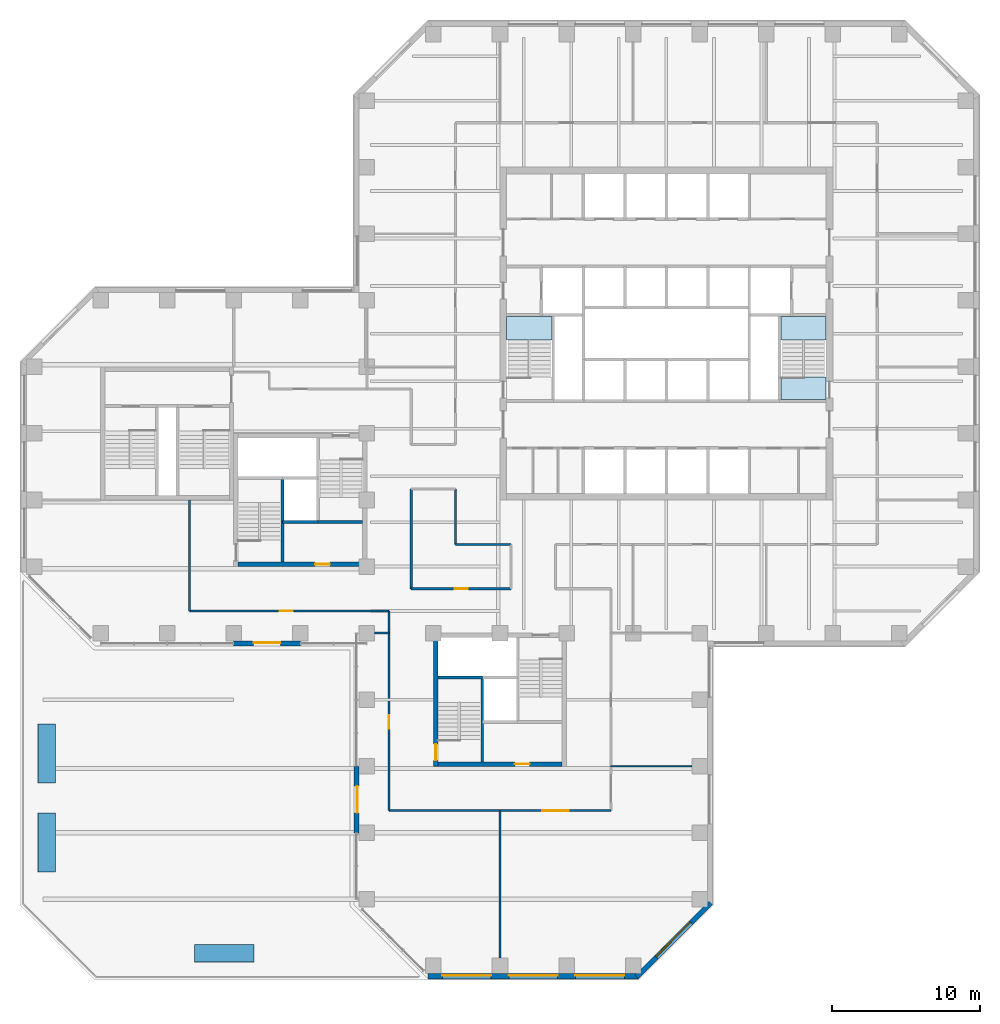
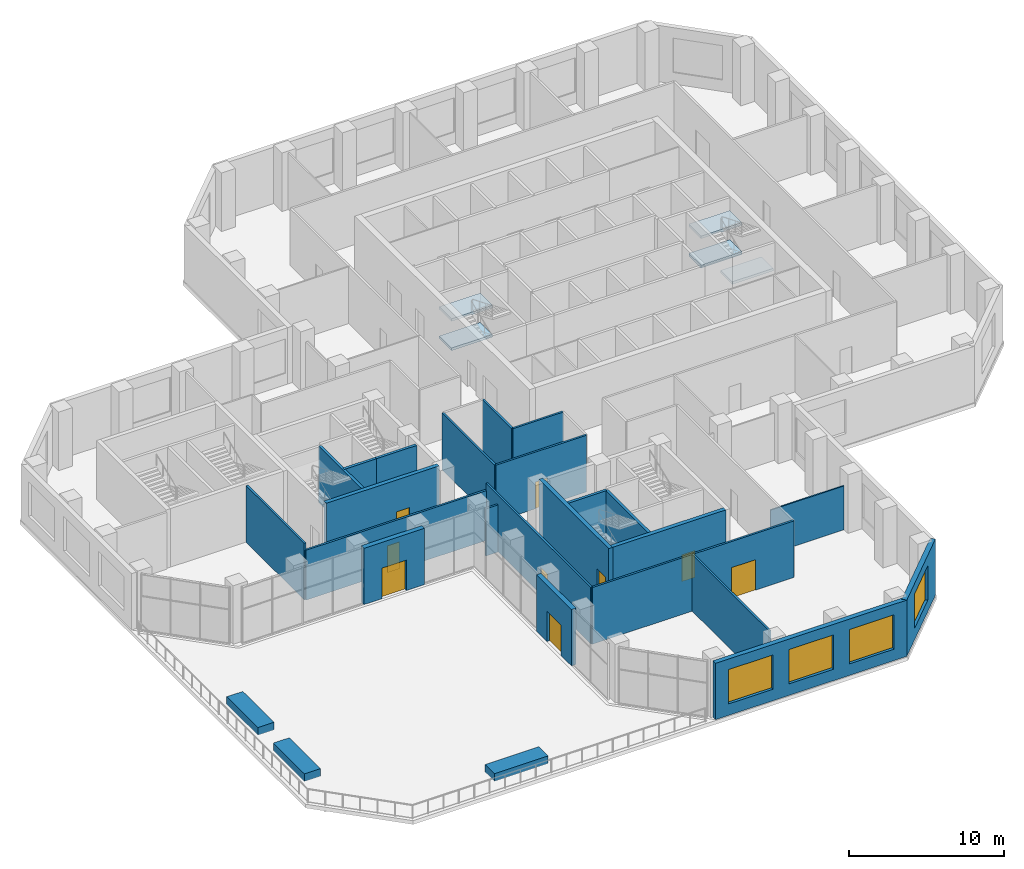
# One storey, part 6 of 14: 26 walls, 9 doors, 5 slabs, 4 windows, 13 openings, 2 elements without a shape of their own.
"""IFC4 building model written with IfcOpenShell, lengths in metres."""

from ifc_helpers import new_model, si_unit, direction, frame, frame_2d, origin, place, context, subcontext, project, spatial, polyline, rectangle, outline, extrude, material, layer, layer_set, constituent, constituent_set, type_object, element, fill, aggregate, save


model = new_model("IFC4")

# Units and contexts
model_context = context("Model", 3, precision=1e-05, world=origin(), true_north=direction((0.0, 1.0)))
body_context = subcontext(model_context, "Body", "Model", "MODEL_VIEW")
ifc_project = project(units=[si_unit("LENGTHUNIT", "METRE"), si_unit("AREAUNIT", "SQUARE_METRE"), si_unit("VOLUMEUNIT", "CUBIC_METRE"), si_unit("PLANEANGLEUNIT", "RADIAN"), si_unit("MASSUNIT", "GRAM", prefix="KILO")], contexts=[model_context])

# Site, building, storey
site_placement = place(None, origin())
site = spatial("IfcSite", under=ifc_project, at=site_placement, CompositionType="ELEMENT")
building_placement = place(site_placement, origin())
building = spatial("IfcBuilding", under=site, at=building_placement, Name="Quoin Convention Tower", CompositionType="ELEMENT")
storey_placement = place(building_placement, frame((0.0, 0.0, 74.300048828125)))
storey = spatial("IfcBuildingStorey", under=building, at=storey_placement, Name="L19", CompositionType="ELEMENT", Elevation=74.300048828125)

# Stair, slabs
ifc_material_1 = material(Name="Concrete C40", Category="concrete")
stair_type = type_object("IfcStairType", Name="Exit stair four-flight 1350", PredefinedType="DOUBLE_RETURN_STAIR", material=ifc_material_1)
stair_1_placement = place(storey_placement, origin())
stair_1 = element("IfcStair", 1, at=stair_1_placement, inside=storey, type_object=stair_type, Name="SD1 L19", PredefinedType="DOUBLE_RETURN_STAIR")
ifc_layer_1 = layer(ifc_material_1, 0.199951171875)
ifc_layer_set_1 = layer_set([ifc_layer_1], Name="Concrete C40")
slab_type = type_object("IfcSlabType", Name="Stair landing 200", PredefinedType="LANDING", material=ifc_layer_set_1)
slab_1_placement = place(storey_placement, frame((0.0, 0.0, 0.949951171875)))
slab_1 = element("IfcSlab", 2, at=slab_1_placement, type_object=slab_type, Name="ST1 landing 1", PredefinedType="LANDING", context=body_context, shape_type="SweptSolid", body=[
    extrude(outline(polyline([(45.449951171875, 60.320068359375), (48.5, 60.320068359375), (48.5, 61.89990234375), (45.449951171875, 61.89990234375), (45.449951171875, 60.320068359375)])), origin(), (0.0, 0.0, 1.0), 0.199951171875),
])
slab_2_placement = place(storey_placement, frame((0.0, 0.0, 3.25)))
slab_2 = element("IfcSlab", 3, at=slab_2_placement, type_object=slab_type, Name="ST1 landing 3", PredefinedType="LANDING", context=body_context, shape_type="SweptSolid", body=[
    extrude(outline(polyline([(45.449951171875, 60.320068359375), (48.5, 60.320068359375), (48.5, 61.89990234375), (45.449951171875, 61.89990234375), (45.449951171875, 60.320068359375)])), origin(), (0.0, 0.0, 1.0), 0.199951171875),
])
aggregate(stair_1, [slab_1, slab_2])

stair_2_placement = place(storey_placement, origin())
stair_2 = element("IfcStair", 4, at=stair_2_placement, inside=storey, type_object=stair_type, Name="SD2 L19", PredefinedType="DOUBLE_RETURN_STAIR")
slab_3_placement = place(storey_placement, frame((0.0, 0.0, 0.949951171875)))
slab_3 = element("IfcSlab", 5, at=slab_3_placement, type_object=slab_type, Name="ST2 landing 1", PredefinedType="LANDING", context=body_context, shape_type="SweptSolid", body=[
    extrude(outline(polyline([(64.0, 60.320068359375), (67.050048828125, 60.320068359375), (67.050048828125, 61.89990234375), (64.0, 61.89990234375), (64.0, 60.320068359375)])), origin(), (0.0, 0.0, 1.0), 0.199951171875),
])
slab_4_placement = place(storey_placement, frame((0.0, 0.0, 2.099853515625)))
slab_4 = element("IfcSlab", 6, at=slab_4_placement, type_object=slab_type, Name="ST2 landing 2", PredefinedType="LANDING", context=body_context, shape_type="SweptSolid", body=[
    extrude(outline(polyline([(64.0, 56.300048828125), (67.050048828125, 56.300048828125), (67.050048828125, 57.800048828125), (64.0, 57.800048828125), (64.0, 56.300048828125)])), origin(), (0.0, 0.0, 1.0), 0.2001953125),
])
slab_5_placement = place(storey_placement, frame((0.0, 0.0, 3.25)))
slab_5 = element("IfcSlab", 7, at=slab_5_placement, type_object=slab_type, Name="ST2 landing 3", PredefinedType="LANDING", context=body_context, shape_type="SweptSolid", body=[
    extrude(outline(polyline([(64.0, 60.320068359375), (67.050048828125, 60.320068359375), (67.050048828125, 61.89990234375), (64.0, 61.89990234375), (64.0, 60.320068359375)])), origin(), (0.0, 0.0, 1.0), 0.199951171875),
])
aggregate(stair_2, [slab_3, slab_4, slab_5])

# Wall, opening, door
ifc_material_2 = material(Name="Brick masonry", Category="masonry")
ifc_layer_2 = layer(ifc_material_2, 0.35009765625)
ifc_layer_set_2 = layer_set([ifc_layer_2], Name="Brick masonry")
wall_type_1 = type_object("IfcWallType", Name="Brick facade wall", PredefinedType="STANDARD", material=ifc_layer_set_2)
wall_1_placement = place(storey_placement, frame((27.0, 39.800048828125, 0.0), z_axis=(0.0, 0.0, 1.0), x_axis=(1.0, 0.0, 0.0)))
wall_1 = element("IfcWall", 8, at=wall_1_placement, inside=storey, type_object=wall_type_1, Name="fw-L19-27000_39800", PredefinedType="STANDARD", context=body_context, shape_type="SweptSolid", body=[
    extrude(rectangle(XDim=4.5, YDim=0.35009765625, at=frame_2d((2.25, 0.0))), origin(), (0.0, 0.0, 1.0), 4.425048828125),
])
opening_1_placement = place(wall_1_placement, frame((1.35009765625, 0.0, 0.0)))
opening_1 = element("IfcOpeningElement", 9, at=opening_1_placement, cuts=wall_1, Name="Opening D-T1", PredefinedType="OPENING", context=body_context, shape_type="SweptSolid", body=[
    extrude(rectangle(XDim=1.800048828125, YDim=2.39990234375, at=frame_2d((0.89990234375, 1.199951171875))), frame((0.0, 0.18505859375, 0.0), z_axis=(0.0, -1.0, 0.0), x_axis=(1.0, 0.0, 0.0)), (0.0, 0.0, 1.0), 0.3701171875),
])
ifc_material_3 = material(Name="Aluminium", Category="aluminium")
ifc_constituent_1 = constituent(ifc_material_3, Name="Frame")
ifc_material_4 = material(Name="Insulated glass", Category="glass")
ifc_constituent_2 = constituent(ifc_material_4, Name="Glazing")
ifc_constituent_set_1 = constituent_set(constituents=[ifc_constituent_1, ifc_constituent_2], Name="Aluminium")
door_type_1 = type_object("IfcDoorType", Name="Glazed terrace door", OperationType="DOUBLE_DOOR_SINGLE_SWING", PredefinedType="DOOR", material=ifc_constituent_set_1)
door_1_placement = place(opening_1_placement, origin())
door_1 = element("IfcDoor", 10, at=door_1_placement, inside=storey, type_object=door_type_1, Name="dr-L19-27000_39800", OperationType="DOUBLE_DOOR_SINGLE_SWING", OverallHeight=2.39990234375, OverallWidth=1.800048828125, PredefinedType="DOOR", context=body_context, shape_type="SweptSolid", body=[
    extrude(rectangle(XDim=1.800048828125, YDim=2.39990234375, at=frame_2d((0.89990234375, 1.199951171875))), frame((0.0, 0.080078125, 0.0), z_axis=(0.0, -1.0, 0.0), x_axis=(1.0, 0.0, 0.0)), (0.0, 0.0, 1.0), 0.050048828125),
])
fill(opening_1, door_1)

wall_2_placement = place(storey_placement, frame((35.300048828125, 31.5, 0.0), z_axis=(0.0, 0.0, 1.0), x_axis=(0.0, -1.0, 0.0)))
wall_2 = element("IfcWall", 11, at=wall_2_placement, inside=storey, type_object=wall_type_1, Name="fw-L19-35300_31500", PredefinedType="STANDARD", context=body_context, shape_type="SweptSolid", body=[
    extrude(rectangle(XDim=4.5, YDim=0.35009765625, at=frame_2d((2.25, 0.0))), origin(), (0.0, 0.0, 1.0), 4.425048828125),
])
opening_2_placement = place(wall_2_placement, frame((1.35009765625, 0.0, 0.0)))
opening_2 = element("IfcOpeningElement", 12, at=opening_2_placement, cuts=wall_2, Name="Opening D-T1", PredefinedType="OPENING", context=body_context, shape_type="SweptSolid", body=[
    extrude(rectangle(XDim=1.800048828125, YDim=2.39990234375, at=frame_2d((0.89990234375, 1.199951171875))), frame((0.0, 0.18505859375, 0.0), z_axis=(0.0, -1.0, 0.0), x_axis=(1.0, 0.0, 0.0)), (0.0, 0.0, 1.0), 0.3701171875),
])
door_2_placement = place(opening_2_placement, origin())
door_2 = element("IfcDoor", 13, at=door_2_placement, inside=storey, type_object=door_type_1, Name="dr-L19-35300_31500", OperationType="DOUBLE_DOOR_SINGLE_SWING", OverallHeight=2.39990234375, OverallWidth=1.800048828125, PredefinedType="DOOR", context=body_context, shape_type="SweptSolid", body=[
    extrude(rectangle(XDim=1.800048828125, YDim=2.39990234375, at=frame_2d((0.89990234375, 1.199951171875))), frame((0.0, 0.080078125, 0.0), z_axis=(0.0, -1.0, 0.0), x_axis=(1.0, 0.0, 0.0)), (0.0, 0.0, 1.0), 0.050048828125),
])
fill(opening_2, door_2)

# Wall, openings, windows
wall_3_placement = place(storey_placement, frame((40.1376953125, 17.300048828125, 0.0), z_axis=(0.0, 0.0, 1.0), x_axis=(1.0, 0.0, 0.0)))
wall_3 = element("IfcWall", 14, at=wall_3_placement, inside=storey, type_object=wall_type_1, Name="fw-L19-40500_18000", PredefinedType="STANDARD", context=body_context, shape_type="SweptSolid", body=[
    extrude(rectangle(XDim=14.224609375, YDim=0.35009765625, at=frame_2d((7.1123046875, 0.0))), origin(), (0.0, 0.0, 1.0), 4.425048828125),
])
opening_3_placement = place(wall_3_placement, frame((0.96240234375, 0.0, 0.89990234375)))
opening_3 = element("IfcOpeningElement", 15, at=opening_3_placement, cuts=wall_3, Name="Opening W-03", PredefinedType="OPENING", context=body_context, shape_type="SweptSolid", body=[
    extrude(rectangle(XDim=3.300048828125, YDim=2.699951171875, at=frame_2d((1.64990234375, 1.35009765625))), frame((0.0, 0.18505859375, 0.0), z_axis=(0.0, -1.0, 0.0), x_axis=(1.0, 0.0, 0.0)), (0.0, 0.0, 1.0), 0.3701171875),
])
opening_4_placement = place(wall_3_placement, frame((5.46240234375, 0.0, 0.89990234375)))
opening_4 = element("IfcOpeningElement", 16, at=opening_4_placement, cuts=wall_3, Name="Opening W-03", PredefinedType="OPENING", context=body_context, shape_type="SweptSolid", body=[
    extrude(rectangle(XDim=3.300048828125, YDim=2.699951171875, at=frame_2d((1.64990234375, 1.35009765625))), frame((0.0, 0.18505859375, 0.0), z_axis=(0.0, -1.0, 0.0), x_axis=(1.0, 0.0, 0.0)), (0.0, 0.0, 1.0), 0.3701171875),
])
opening_5_placement = place(wall_3_placement, frame((9.96240234375, 0.0, 0.89990234375)))
opening_5 = element("IfcOpeningElement", 17, at=opening_5_placement, cuts=wall_3, Name="Opening W-03", PredefinedType="OPENING", context=body_context, shape_type="SweptSolid", body=[
    extrude(rectangle(XDim=3.300048828125, YDim=2.699951171875, at=frame_2d((1.64990234375, 1.35009765625))), frame((0.0, 0.18505859375, 0.0), z_axis=(0.0, -1.0, 0.0), x_axis=(1.0, 0.0, 0.0)), (0.0, 0.0, 1.0), 0.3701171875),
])
ifc_constituent_3 = constituent(ifc_material_3, Name="Frame")
ifc_constituent_4 = constituent(ifc_material_4, Name="Glazing")
ifc_constituent_set_2 = constituent_set(constituents=[ifc_constituent_3, ifc_constituent_4], Name="Aluminium")
window_type = type_object("IfcWindowType", Name="Sky lobby window", PartitioningType="DOUBLE_PANEL_VERTICAL", PredefinedType="WINDOW", material=ifc_constituent_set_2)
window_1_placement = place(opening_3_placement, origin())
window_1 = element("IfcWindow", 18, at=window_1_placement, inside=storey, type_object=window_type, Name="win-L19-42750_17300", OverallHeight=2.699951171875, OverallWidth=3.300048828125, PartitioningType="SINGLE_PANEL", PredefinedType="WINDOW", context=body_context, shape_type="SweptSolid", body=[
    extrude(rectangle(XDim=3.300048828125, YDim=2.699951171875, at=frame_2d((1.64990234375, 1.35009765625))), frame((0.0, 0.0849609375, 0.0), z_axis=(0.0, -1.0, 0.0), x_axis=(1.0, 0.0, 0.0)), (0.0, 0.0, 1.0), 0.06005859375),
])
fill(opening_3, window_1)
window_2_placement = place(opening_4_placement, origin())
window_2 = element("IfcWindow", 19, at=window_2_placement, inside=storey, type_object=window_type, Name="win-L19-47250_17300", OverallHeight=2.699951171875, OverallWidth=3.300048828125, PartitioningType="SINGLE_PANEL", PredefinedType="WINDOW", context=body_context, shape_type="SweptSolid", body=[
    extrude(rectangle(XDim=3.300048828125, YDim=2.699951171875, at=frame_2d((1.64990234375, 1.35009765625))), frame((0.0, 0.0849609375, 0.0), z_axis=(0.0, -1.0, 0.0), x_axis=(1.0, 0.0, 0.0)), (0.0, 0.0, 1.0), 0.06005859375),
])
fill(opening_4, window_2)
window_3_placement = place(opening_5_placement, origin())
window_3 = element("IfcWindow", 20, at=window_3_placement, inside=storey, type_object=window_type, Name="win-L19-51750_17300", OverallHeight=2.699951171875, OverallWidth=3.300048828125, PartitioningType="SINGLE_PANEL", PredefinedType="WINDOW", context=body_context, shape_type="SweptSolid", body=[
    extrude(rectangle(XDim=3.300048828125, YDim=2.699951171875, at=frame_2d((1.64990234375, 1.35009765625))), frame((0.0, 0.0849609375, 0.0), z_axis=(0.0, -1.0, 0.0), x_axis=(1.0, 0.0, 0.0)), (0.0, 0.0, 1.0), 0.06005859375),
])
fill(opening_5, window_3)

# Wall, opening, window
wall_4_placement = place(storey_placement, frame((54.23876953125, 17.248779296875, 0.0), z_axis=(0.0, 0.0, 1.0), x_axis=(0.707106781187, 0.707106781187, 0.0)))
wall_4 = element("IfcWall", 21, at=wall_4_placement, inside=storey, type_object=wall_type_1, Name="fw-L19-54000_18000", PredefinedType="STANDARD", context=body_context, shape_type="SweptSolid", body=[
    extrude(rectangle(XDim=7.088623046875, YDim=0.35009765625, at=frame_2d((3.54443359375, 0.0))), origin(), (0.0, 0.0, 1.0), 4.425048828125),
])
opening_6_placement = place(wall_4_placement, frame((1.894287109375, 0.0, 0.89990234375)))
opening_6 = element("IfcOpeningElement", 22, at=opening_6_placement, cuts=wall_4, Name="Opening W-03", PredefinedType="OPENING", context=body_context, shape_type="SweptSolid", body=[
    extrude(rectangle(XDim=3.300048828125, YDim=2.699951171875, at=frame_2d((1.64990234375, 1.35009765625))), frame((0.0, 0.18505859375, 0.0), z_axis=(0.0, -1.0, 0.0), x_axis=(1.0, 0.0, 0.0)), (0.0, 0.0, 1.0), 0.3701171875),
])
window_4_placement = place(opening_6_placement, origin())
window_4 = element("IfcWindow", 23, at=window_4_placement, inside=storey, type_object=window_type, Name="win-L19-56745_19755", OverallHeight=2.699951171875, OverallWidth=3.300048828125, PartitioningType="SINGLE_PANEL", PredefinedType="WINDOW", context=body_context, shape_type="SweptSolid", body=[
    extrude(rectangle(XDim=3.300048828125, YDim=2.699951171875, at=frame_2d((1.64990234375, 1.35009765625))), frame((0.0, 0.0849609375, 0.0), z_axis=(0.0, -1.0, 0.0), x_axis=(1.0, 0.0, 0.0)), (0.0, 0.0, 1.0), 0.06005859375),
])
fill(opening_6, window_4)

# Walls
ifc_material_5 = material(Name="Concrete C50", Category="concrete")
ifc_layer_3 = layer(ifc_material_5, 0.199951171875)
ifc_layer_set_3 = layer_set([ifc_layer_3], Name="Concrete C50")
wall_type_2 = type_object("IfcWallType", Name="Core shaft wall", PredefinedType="SOLIDWALL", material=ifc_layer_set_3)
wall_5_placement = place(storey_placement, frame((30.300048828125, 48.0, 0.0), z_axis=(0.0, 0.0, 1.0), x_axis=(1.0, 0.0, 0.0)))
element("IfcWall", 24, at=wall_5_placement, inside=storey, type_object=wall_type_2, Name="cr-P2-L19-h3000_3300", PredefinedType="SOLIDWALL", context=body_context, shape_type="SweptSolid", body=[
    extrude(rectangle(XDim=2.39990234375, YDim=0.199951171875, at=frame_2d((1.199951171875, 0.0))), origin(), (0.0, 0.0, 1.0), 4.449951171875),
])
wall_6_placement = place(storey_placement, frame((32.699951171875, 48.0, 0.0), z_axis=(0.0, 0.0, 1.0), x_axis=(1.0, 0.0, 0.0)))
element("IfcWall", 25, at=wall_6_placement, inside=storey, type_object=wall_type_2, Name="cr-P2-L19-h3000_5700", PredefinedType="SOLIDWALL", context=body_context, shape_type="SweptSolid", body=[
    extrude(rectangle(XDim=3.0, YDim=0.199951171875, at=frame_2d((1.5, 0.0))), origin(), (0.0, 0.0, 1.0), 4.449951171875),
])
wall_7_placement = place(storey_placement, frame((30.300048828125, 45.300048828125, 0.0), z_axis=(0.0, 0.0, 1.0), x_axis=(0.0, 1.0, 0.0)))
element("IfcWall", 26, at=wall_7_placement, inside=storey, type_object=wall_type_2, Name="cr-P2-L19-v3300_300", PredefinedType="SOLIDWALL", context=body_context, shape_type="SweptSolid", body=[
    extrude(rectangle(XDim=5.699951171875, YDim=0.199951171875, at=frame_2d((2.85009765625, 0.0))), origin(), (0.0, 0.0, 1.0), 4.449951171875),
])
wall_8_placement = place(storey_placement, frame((40.800048828125, 37.5, 0.0), z_axis=(0.0, 0.0, 1.0), x_axis=(1.0, 0.0, 0.0)))
element("IfcWall", 27, at=wall_8_placement, inside=storey, type_object=wall_type_2, Name="cr-P3-L19-h6000_300", PredefinedType="SOLIDWALL", context=body_context, shape_type="SweptSolid", body=[
    extrude(rectangle(XDim=3.0, YDim=0.199951171875, at=frame_2d((1.5, 0.0))), origin(), (0.0, 0.0, 1.0), 4.449951171875),
])
wall_9_placement = place(storey_placement, frame((43.800048828125, 31.800048828125, 0.0), z_axis=(0.0, 0.0, 1.0), x_axis=(0.0, 1.0, 0.0)))
element("IfcWall", 28, at=wall_9_placement, inside=storey, type_object=wall_type_2, Name="cr-P3-L19-v3300_300", PredefinedType="SOLIDWALL", context=body_context, shape_type="SweptSolid", body=[
    extrude(rectangle(XDim=5.699951171875, YDim=0.199951171875, at=frame_2d((2.85009765625, 0.0))), origin(), (0.0, 0.0, 1.0), 4.449951171875),
])
ifc_layer_4 = layer(ifc_material_1, 1.199951171875)
ifc_layer_set_4 = layer_set([ifc_layer_4], Name="Concrete C40")
wall_type_3 = type_object("IfcWallType", Name="Planter bed", PredefinedType="STANDARD", material=ifc_layer_set_4)
for number, where, z_axis, x_axis, name in (
    (29, (28.352783203125, 18.85009765625, 0.0), (0.0, 0.0, 1.0), (-1.0, 0.0, 0.0), "PLANTER L19 01"),
    (30, (14.35009765625, 24.35205078125, 0.0), (0.0, 0.0, 1.0), (0.0, 1.0, 0.0), "PLANTER L19 02"),
    (31, (14.35009765625, 30.35205078125, 0.0), (0.0, 0.0, 1.0), (0.0, 1.0, 0.0), "PLANTER L19 03"),
):
    element("IfcWall", number, at=place(storey_placement, frame(where, z_axis=z_axis, x_axis=x_axis)), inside=storey, type_object=wall_type_3, Name=name, PredefinedType="STANDARD", context=body_context, shape_type="SweptSolid", body=[
        extrude(rectangle(XDim=4.0, YDim=1.199951171875, at=frame_2d((2.0, 0.0))), origin(), (0.0, 0.0, 1.0), 0.599853515625),
    ])

# Wall, opening, door
ifc_material_6 = material(Name="Concrete C65", Category="concrete")
ifc_layer_5 = layer(ifc_material_6, 0.300048828125)
ifc_layer_set_5 = layer_set([ifc_layer_5], Name="Concrete C65")
wall_type_4 = type_object("IfcWallType", Name="RC CORE WALL 300 C65", PredefinedType="SHEAR", material=ifc_layer_set_5)
wall_10_placement = place(storey_placement, frame((27.300048828125, 45.14990234375, 0.0), z_axis=(0.0, 0.0, 1.0), x_axis=(1.0, 0.0, 0.0)))
wall_10 = element("IfcWall", 32, at=wall_10_placement, inside=storey, type_object=wall_type_4, Name="cwl-P2-L19-S", PredefinedType="SHEAR", context=body_context, shape_type="SweptSolid", body=[
    extrude(rectangle(XDim=8.39990234375, YDim=0.300048828125, at=frame_2d((4.199951171875, 0.0))), origin(), (0.0, 0.0, 1.0), 4.599853515625),
])
opening_7_placement = place(wall_10_placement, frame((5.199951171875, 0.0, 0.0)))
opening_7 = element("IfcOpeningElement", 33, at=opening_7_placement, cuts=wall_10, Name="Opening DCV1-50", PredefinedType="OPENING", context=body_context, shape_type="SweptSolid", body=[
    extrude(rectangle(XDim=1.0, YDim=2.10009765625, at=frame_2d((0.5, 1.050048828125))), frame((0.0, 0.159912109375, 0.0), z_axis=(0.0, -1.0, 0.0), x_axis=(1.0, 0.0, 0.0)), (0.0, 0.0, 1.0), 0.320068359375),
])
ifc_material_7 = material(Name="Steel door leaf", Category="steel")
door_type_2 = type_object("IfcDoorType", Name="Service door 1000 x 2100", OperationType="SINGLE_SWING_LEFT", PredefinedType="DOOR", material=ifc_material_7)
door_3_placement = place(opening_7_placement, origin())
door_3 = element("IfcDoor", 34, at=door_3_placement, inside=storey, type_object=door_type_2, Name="cd-P2-L19-R2-S", OperationType="SINGLE_SWING_LEFT", OverallHeight=2.10009765625, OverallWidth=1.0, PredefinedType="DOOR", context=body_context, shape_type="SweptSolid", body=[
    extrude(rectangle(XDim=1.0, YDim=2.10009765625, at=frame_2d((0.5, 1.050048828125))), frame((0.0, 0.02490234375, 0.0), z_axis=(0.0, -1.0, 0.0), x_axis=(1.0, 0.0, 0.0)), (0.0, 0.0, 1.0), 0.050048828125),
])
fill(opening_7, door_3)

wall_11_placement = place(storey_placement, frame((40.800048828125, 31.64990234375, 0.0), z_axis=(0.0, 0.0, 1.0), x_axis=(1.0, 0.0, 0.0)))
wall_11 = element("IfcWall", 35, at=wall_11_placement, inside=storey, type_object=wall_type_4, Name="cwl-P3-L19-S", PredefinedType="SHEAR", context=body_context, shape_type="SweptSolid", body=[
    extrude(rectangle(XDim=8.39990234375, YDim=0.300048828125, at=frame_2d((4.199951171875, 0.0))), origin(), (0.0, 0.0, 1.0), 4.599853515625),
])
opening_8_placement = place(wall_11_placement, frame((5.199951171875, 0.0, 0.0)))
opening_8 = element("IfcOpeningElement", 36, at=opening_8_placement, cuts=wall_11, Name="Opening DCV1-51", PredefinedType="OPENING", context=body_context, shape_type="SweptSolid", body=[
    extrude(rectangle(XDim=1.0, YDim=2.10009765625, at=frame_2d((0.5, 1.050048828125))), frame((0.0, 0.159912109375, 0.0), z_axis=(0.0, -1.0, 0.0), x_axis=(1.0, 0.0, 0.0)), (0.0, 0.0, 1.0), 0.320068359375),
])
door_4_placement = place(opening_8_placement, origin())
door_4 = element("IfcDoor", 37, at=door_4_placement, inside=storey, type_object=door_type_2, Name="cd-P3-L19-R2-S", OperationType="SINGLE_SWING_LEFT", OverallHeight=2.10009765625, OverallWidth=1.0, PredefinedType="DOOR", context=body_context, shape_type="SweptSolid", body=[
    extrude(rectangle(XDim=1.0, YDim=2.10009765625, at=frame_2d((0.5, 1.050048828125))), frame((0.0, 0.02490234375, 0.0), z_axis=(0.0, -1.0, 0.0), x_axis=(1.0, 0.0, 0.0)), (0.0, 0.0, 1.0), 0.050048828125),
])
fill(opening_8, door_4)

wall_12_placement = place(storey_placement, frame((40.64990234375, 31.5, 0.0), z_axis=(0.0, 0.0, 1.0), x_axis=(0.0, 1.0, 0.0)))
wall_12 = element("IfcWall", 38, at=wall_12_placement, inside=storey, type_object=wall_type_4, Name="cwl-P3-L19-W", PredefinedType="SHEAR", context=body_context, shape_type="SweptSolid", body=[
    extrude(rectangle(XDim=9.0, YDim=0.300048828125, at=frame_2d((4.5, 0.0))), origin(), (0.0, 0.0, 1.0), 4.599853515625),
])
opening_9_placement = place(wall_12_placement, frame((0.39990234375, 0.0, 0.0)))
opening_9 = element("IfcOpeningElement", 39, at=opening_9_placement, cuts=wall_12, Name="Opening SD5", PredefinedType="OPENING", context=body_context, shape_type="SweptSolid", body=[
    extrude(rectangle(XDim=1.10009765625, YDim=2.10009765625, at=frame_2d((0.550048828125, 1.050048828125))), frame((0.0, 0.159912109375, 0.0), z_axis=(0.0, -1.0, 0.0), x_axis=(1.0, 0.0, 0.0)), (0.0, 0.0, 1.0), 0.320068359375),
])
door_type_3 = type_object("IfcDoorType", Name="Stair door 1100 x 2100", OperationType="SINGLE_SWING_RIGHT", PredefinedType="DOOR", material=ifc_material_7)
door_5_placement = place(opening_9_placement, frame((1.10009765625, 0.0, 0.0), z_axis=(0.0, 0.0, 1.0), x_axis=(-1.0, 0.0, 0.0)))
door_5 = element("IfcDoor", 40, at=door_5_placement, inside=storey, type_object=door_type_3, Name="cd-P3-L19-SA-W", OperationType="SINGLE_SWING_RIGHT", OverallHeight=2.10009765625, OverallWidth=1.10009765625, PredefinedType="DOOR", context=body_context, shape_type="SweptSolid", body=[
    extrude(rectangle(XDim=1.10009765625, YDim=2.10009765625, at=frame_2d((0.550048828125, 1.050048828125))), frame((0.0, 0.02490234375, 0.0), z_axis=(0.0, -1.0, 0.0), x_axis=(1.0, 0.0, 0.0)), (0.0, 0.0, 1.0), 0.050048828125),
])
fill(opening_9, door_5)

# Wall
ifc_material_8 = material(Name="Plasterboard")
ifc_layer_6 = layer(ifc_material_8, 0.012451171875, Name="Finish")
ifc_material_9 = material(Name="Steel stud framing", Category="steel")
ifc_layer_7 = layer(ifc_material_9, 0.074951171875, Name="Structure")
ifc_layer_8 = layer(ifc_material_8, 0.012451171875, Name="Finish")
ifc_layer_set_6 = layer_set([ifc_layer_6, ifc_layer_7, ifc_layer_8], Name="Steel stud framing")
wall_type_5 = type_object("IfcWallType", Name="bathroom partition under beam 1000", PredefinedType="PARTITIONING", material=ifc_layer_set_6)
wall_13_placement = place(storey_placement, frame((52.5, 31.5, 0.0), z_axis=(0.0, 0.0, 1.0), x_axis=(1.0, 0.0, 0.0)))
element("IfcWall", 41, at=wall_13_placement, inside=storey, type_object=wall_type_5, Name="pw-L19-001", PredefinedType="PARTITIONING", context=body_context, shape_type="SweptSolid", body=[
    extrude(rectangle(XDim=5.47509765625, YDim=0.10009765625, at=frame_2d((2.737548828125, 0.0))), origin(), (0.0, 0.0, 1.0), 3.449951171875),
])

# Wall, opening, door
ifc_layer_9 = layer(ifc_material_8, 0.012451171875, Name="Finish")
ifc_layer_10 = layer(ifc_material_9, 0.125, Name="Structure")
ifc_layer_11 = layer(ifc_material_8, 0.012451171875, Name="Finish")
ifc_layer_set_7 = layer_set([ifc_layer_9, ifc_layer_10, ifc_layer_11], Name="Steel stud framing")
wall_type_6 = type_object("IfcWallType", Name="corridor partition", PredefinedType="PARTITIONING", material=ifc_layer_set_7)
wall_14_placement = place(storey_placement, frame((37.5, 28.5, 0.0), z_axis=(0.0, 0.0, 1.0), x_axis=(1.0, 0.0, 0.0)))
wall_14 = element("IfcWall", 42, at=wall_14_placement, inside=storey, type_object=wall_type_6, Name="pw-L19-010", PredefinedType="PARTITIONING", context=body_context, shape_type="SweptSolid", body=[
    extrude(rectangle(XDim=15.0, YDim=0.14990234375, at=frame_2d((7.5, 0.0))), origin(), (0.0, 0.0, 1.0), 4.449951171875),
])
opening_10_placement = place(wall_14_placement, frame((10.35009765625, 0.0, 0.0)))
opening_10 = element("IfcOpeningElement", 43, at=opening_10_placement, cuts=wall_14, Name="Opening DSKY-19-01", PredefinedType="OPENING", context=body_context, shape_type="SweptSolid", body=[
    extrude(rectangle(XDim=1.800048828125, YDim=2.39990234375, at=frame_2d((0.89990234375, 1.199951171875))), frame((0.0, 0.0849609375, 0.0), z_axis=(0.0, -1.0, 0.0), x_axis=(1.0, 0.0, 0.0)), (0.0, 0.0, 1.0), 0.169921875),
])
door_type_4 = type_object("IfcDoorType", Name="Glazed double door", OperationType="DOUBLE_DOOR_SINGLE_SWING", PredefinedType="DOOR", material=ifc_material_7)
door_6_placement = place(opening_10_placement, frame((1.800048828125, 0.0, 0.0), z_axis=(0.0, 0.0, 1.0), x_axis=(-1.0, 0.0, 0.0)))
door_6 = element("IfcDoor", 44, at=door_6_placement, inside=storey, type_object=door_type_4, Name="dr-L19-001", OperationType="DOUBLE_DOOR_SINGLE_SWING", OverallHeight=2.39990234375, OverallWidth=1.800048828125, PredefinedType="DOOR", context=body_context, shape_type="SweptSolid", body=[
    extrude(rectangle(XDim=1.800048828125, YDim=2.39990234375, at=frame_2d((0.89990234375, 1.199951171875))), frame((0.0, 0.02490234375, 0.0), z_axis=(0.0, -1.0, 0.0), x_axis=(1.0, 0.0, 0.0)), (0.0, 0.0, 1.0), 0.050048828125),
])
fill(opening_10, door_6)

wall_15_placement = place(storey_placement, frame((37.5, 28.5, 0.0), z_axis=(0.0, 0.0, 1.0), x_axis=(0.0, 1.0, 0.0)))
wall_15 = element("IfcWall", 45, at=wall_15_placement, inside=storey, type_object=wall_type_6, Name="pw-L19-011", PredefinedType="PARTITIONING", context=body_context, shape_type="SweptSolid", body=[
    extrude(rectangle(XDim=13.5, YDim=0.14990234375, at=frame_2d((6.75, 0.0))), origin(), (0.0, 0.0, 1.0), 4.449951171875),
])
opening_11_placement = place(wall_15_placement, frame((5.550048828125, 0.0, 0.0)))
opening_11 = element("IfcOpeningElement", 46, at=opening_11_placement, cuts=wall_15, Name="Opening DSKY-19-02", PredefinedType="OPENING", context=body_context, shape_type="SweptSolid", body=[
    extrude(rectangle(XDim=0.89990234375, YDim=2.10009765625, at=frame_2d((0.449951171875, 1.050048828125))), frame((0.0, 0.0849609375, 0.0), z_axis=(0.0, -1.0, 0.0), x_axis=(1.0, 0.0, 0.0)), (0.0, 0.0, 1.0), 0.169921875),
])
door_type_5 = type_object("IfcDoorType", Name="Single room door", OperationType="SINGLE_SWING_RIGHT", PredefinedType="DOOR", material=ifc_material_7)
door_7_placement = place(opening_11_placement, origin())
door_7 = element("IfcDoor", 47, at=door_7_placement, inside=storey, type_object=door_type_5, Name="dr-L19-003", OperationType="SINGLE_SWING_RIGHT", OverallHeight=2.10009765625, OverallWidth=0.89990234375, PredefinedType="DOOR", context=body_context, shape_type="SweptSolid", body=[
    extrude(rectangle(XDim=0.89990234375, YDim=2.10009765625, at=frame_2d((0.449951171875, 1.050048828125))), frame((0.0, 0.02490234375, 0.0), z_axis=(0.0, -1.0, 0.0), x_axis=(1.0, 0.0, 0.0)), (0.0, 0.0, 1.0), 0.050048828125),
])
fill(opening_11, door_7)

# Wall
wall_16_placement = place(storey_placement, frame((24.0, 42.0, 0.0), z_axis=(0.0, 0.0, 1.0), x_axis=(0.0, 1.0, 0.0)))
element("IfcWall", 48, at=wall_16_placement, inside=storey, type_object=wall_type_6, Name="pw-L19-014", PredefinedType="PARTITIONING", context=body_context, shape_type="SweptSolid", body=[
    extrude(rectangle(XDim=7.5, YDim=0.14990234375, at=frame_2d((3.75, 0.0))), origin(), (0.0, 0.0, 1.0), 4.449951171875),
])

# Wall, opening, door
wall_17_placement = place(storey_placement, frame((39.0, 43.5, 0.0), z_axis=(0.0, 0.0, 1.0), x_axis=(1.0, 0.0, 0.0)))
wall_17 = element("IfcWall", 49, at=wall_17_placement, inside=storey, type_object=wall_type_6, Name="pw-L19-015", PredefinedType="PARTITIONING", context=body_context, shape_type="SweptSolid", body=[
    extrude(rectangle(XDim=6.75, YDim=0.14990234375, at=frame_2d((3.375, 0.0))), origin(), (0.0, 0.0, 1.0), 4.449951171875),
])
opening_12_placement = place(wall_17_placement, frame((2.925048828125, 0.0, 0.0)))
opening_12 = element("IfcOpeningElement", 50, at=opening_12_placement, cuts=wall_17, Name="Opening DSKY-19-06", PredefinedType="OPENING", context=body_context, shape_type="SweptSolid", body=[
    extrude(rectangle(XDim=0.89990234375, YDim=2.10009765625, at=frame_2d((0.449951171875, 1.050048828125))), frame((0.0, 0.0849609375, 0.0), z_axis=(0.0, -1.0, 0.0), x_axis=(1.0, 0.0, 0.0)), (0.0, 0.0, 1.0), 0.169921875),
])
door_type_6 = type_object("IfcDoorType", Name="Toilet door", OperationType="SINGLE_SWING_LEFT", PredefinedType="DOOR", material=ifc_material_7)
door_8_placement = place(opening_12_placement, origin())
door_8 = element("IfcDoor", 51, at=door_8_placement, inside=storey, type_object=door_type_6, Name="dr-L19-009", OperationType="SINGLE_SWING_RIGHT", OverallHeight=2.10009765625, OverallWidth=0.89990234375, PredefinedType="DOOR", context=body_context, shape_type="SweptSolid", body=[
    extrude(rectangle(XDim=0.89990234375, YDim=2.10009765625, at=frame_2d((0.449951171875, 1.050048828125))), frame((0.0, 0.02490234375, 0.0), z_axis=(0.0, -1.0, 0.0), x_axis=(1.0, 0.0, 0.0)), (0.0, 0.0, 1.0), 0.050048828125),
])
fill(opening_12, door_8)

# Walls
wall_18_placement = place(storey_placement, frame((39.0, 43.5, 0.0), z_axis=(0.0, 0.0, 1.0), x_axis=(0.0, 1.0, 0.0)))
element("IfcWall", 52, at=wall_18_placement, inside=storey, type_object=wall_type_6, Name="pw-L19-016", PredefinedType="PARTITIONING", context=body_context, shape_type="SweptSolid", body=[
    extrude(rectangle(XDim=6.75, YDim=0.14990234375, at=frame_2d((3.375, 0.0))), origin(), (0.0, 0.0, 1.0), 4.449951171875),
])
for number, where, z_axis, x_axis, name in (
    (53, (42.0, 46.5, 0.0), (0.0, 0.0, 1.0), (1.0, 0.0, 0.0), "pw-L19-020"),
    (54, (42.0, 46.5, 0.0), (0.0, 0.0, 1.0), (0.0, 1.0, 0.0), "pw-L19-021"),
):
    element("IfcWall", number, at=place(storey_placement, frame(where, z_axis=z_axis, x_axis=x_axis)), inside=storey, type_object=wall_type_6, Name=name, PredefinedType="PARTITIONING", context=body_context, shape_type="SweptSolid", body=[
        extrude(rectangle(XDim=3.75, YDim=0.14990234375, at=frame_2d((1.875, 0.0))), origin(), (0.0, 0.0, 1.0), 4.449951171875),
    ])

# Wall, opening, door
ifc_layer_12 = layer(ifc_material_8, 0.012451171875, Name="Finish")
ifc_layer_13 = layer(ifc_material_9, 0.125, Name="Structure")
ifc_layer_14 = layer(ifc_material_8, 0.012451171875, Name="Finish")
ifc_layer_set_8 = layer_set([ifc_layer_12, ifc_layer_13, ifc_layer_14], Name="Steel stud framing")
wall_type_7 = type_object("IfcWallType", Name="corridor partition under beam 528", PredefinedType="PARTITIONING", material=ifc_layer_set_8)
wall_19_placement = place(storey_placement, frame((24.0, 42.0, 0.0), z_axis=(0.0, 0.0, 1.0), x_axis=(1.0, 0.0, 0.0)))
wall_19 = element("IfcWall", 55, at=wall_19_placement, inside=storey, type_object=wall_type_7, Name="pw-L19-013", PredefinedType="PARTITIONING", context=body_context, shape_type="SweptSolid", body=[
    extrude(rectangle(XDim=13.5, YDim=0.14990234375, at=frame_2d((6.75, 0.0))), origin(), (0.0, 0.0, 1.0), 3.921875),
])
opening_13_placement = place(wall_19_placement, frame((6.10009765625, 0.0, 0.0)))
opening_13 = element("IfcOpeningElement", 56, at=opening_13_placement, cuts=wall_19, Name="Opening DSKY-19-05", PredefinedType="OPENING", context=body_context, shape_type="SweptSolid", body=[
    extrude(rectangle(XDim=0.89990234375, YDim=2.10009765625, at=frame_2d((0.449951171875, 1.050048828125))), frame((0.0, 0.0849609375, 0.0), z_axis=(0.0, -1.0, 0.0), x_axis=(1.0, 0.0, 0.0)), (0.0, 0.0, 1.0), 0.169921875),
])
door_9_placement = place(opening_13_placement, frame((0.89990234375, 0.0, 0.0), z_axis=(0.0, 0.0, 1.0), x_axis=(-1.0, 0.0, 0.0)))
door_9 = element("IfcDoor", 57, at=door_9_placement, inside=storey, type_object=door_type_5, Name="dr-L19-008", OperationType="SINGLE_SWING_RIGHT", OverallHeight=2.10009765625, OverallWidth=0.89990234375, PredefinedType="DOOR", context=body_context, shape_type="SweptSolid", body=[
    extrude(rectangle(XDim=0.89990234375, YDim=2.10009765625, at=frame_2d((0.449951171875, 1.050048828125))), frame((0.0, 0.02490234375, 0.0), z_axis=(0.0, -1.0, 0.0), x_axis=(1.0, 0.0, 0.0)), (0.0, 0.0, 1.0), 0.050048828125),
])
fill(opening_13, door_9)

# Walls
ifc_layer_15 = layer(ifc_material_8, 0.012451171875, Name="Finish")
ifc_layer_16 = layer(ifc_material_9, 0.125, Name="Structure")
ifc_layer_17 = layer(ifc_material_8, 0.012451171875, Name="Finish")
ifc_layer_set_9 = layer_set([ifc_layer_15, ifc_layer_16, ifc_layer_17], Name="Steel stud framing")
wall_type_8 = type_object("IfcWallType", Name="room partition", PredefinedType="PARTITIONING", material=ifc_layer_set_9)
wall_20_placement = place(storey_placement, frame((45.0, 18.52490234375, 0.0), z_axis=(0.0, 0.0, 1.0), x_axis=(0.0, 1.0, 0.0)))
element("IfcWall", 58, at=wall_20_placement, inside=storey, type_object=wall_type_8, Name="pw-L19-030", PredefinedType="PARTITIONING", context=body_context, shape_type="SweptSolid", body=[
    extrude(rectangle(XDim=9.97509765625, YDim=0.14990234375, at=frame_2d((4.987548828125, 0.0))), origin(), (0.0, 0.0, 1.0), 4.449951171875),
])
ifc_layer_18 = layer(ifc_material_8, 0.012451171875, Name="Finish")
ifc_layer_19 = layer(ifc_material_9, 0.125, Name="Structure")
ifc_layer_20 = layer(ifc_material_8, 0.012451171875, Name="Finish")
ifc_layer_set_10 = layer_set([ifc_layer_18, ifc_layer_19, ifc_layer_20], Name="Steel stud framing")
wall_type_9 = type_object("IfcWallType", Name="room partition under beam 750", PredefinedType="PARTITIONING", material=ifc_layer_set_10)
wall_21_placement = place(storey_placement, frame((36.52490234375, 40.5, 0.0), z_axis=(0.0, 0.0, 1.0), x_axis=(1.0, 0.0, 0.0)))
element("IfcWall", 59, at=wall_21_placement, inside=storey, type_object=wall_type_9, Name="pw-L19-031", PredefinedType="PARTITIONING", context=body_context, shape_type="SweptSolid", body=[
    extrude(rectangle(XDim=0.97509765625, YDim=0.14990234375, at=frame_2d((0.487548828125, 0.0))), origin(), (0.0, 0.0, 1.0), 3.699951171875),
])

save(model, "model.ifc")
